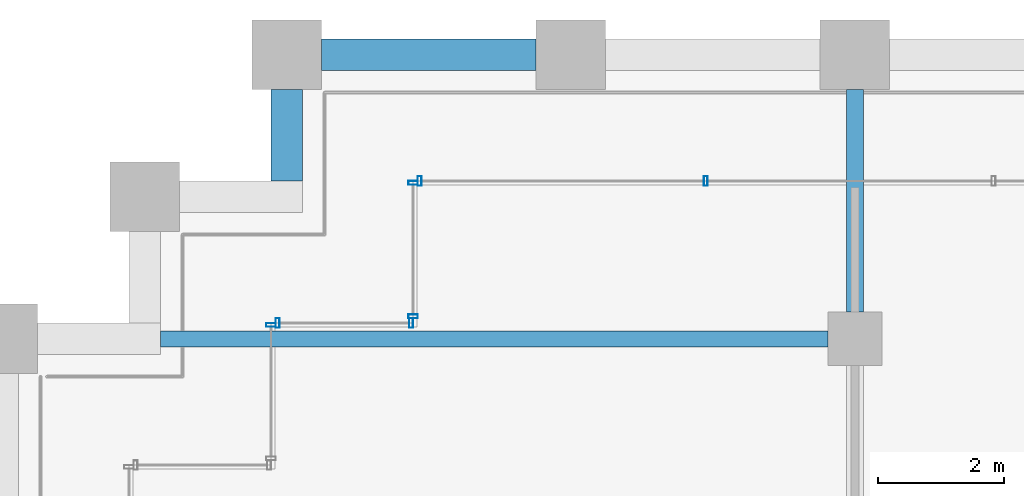
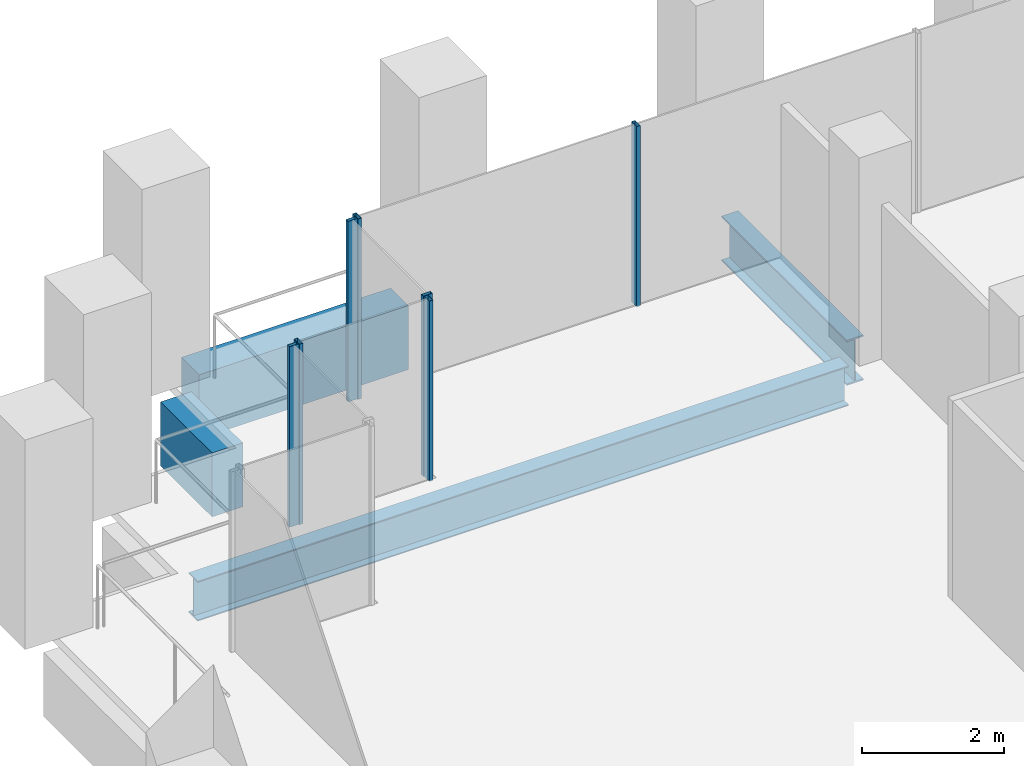
# One storey, part 26 of 54: 7 members, 4 beams, 4 elements without a shape of their own.
"""IFC4 building model written with IfcOpenShell, lengths in metres."""

from ifc_helpers import new_model, si_unit, direction, frame, origin, origin_2d, place, context, subcontext, project, spatial, rectangle, hollow_rectangle, i_section, extrude, material, material_profile, profile_set, type_object, element, aggregate, save


model = new_model("IFC4")

# Units and contexts
model_context = context("Model", 3, precision=1e-05, world=origin(), true_north=direction((0.0, 1.0)))
body_context = subcontext(model_context, "Body", "Model", "MODEL_VIEW")
ifc_project = project(units=[si_unit("LENGTHUNIT", "METRE"), si_unit("AREAUNIT", "SQUARE_METRE"), si_unit("VOLUMEUNIT", "CUBIC_METRE"), si_unit("PLANEANGLEUNIT", "RADIAN"), si_unit("MASSUNIT", "GRAM", prefix="KILO")], contexts=[model_context])

# Site, building, storey
site_placement = place(None, origin())
site = spatial("IfcSite", under=ifc_project, at=site_placement, CompositionType="ELEMENT")
building_placement = place(site_placement, origin())
building = spatial("IfcBuilding", under=site, at=building_placement, Name="Altepetl Exchange Towers", CompositionType="ELEMENT")
storey_placement = place(building_placement, frame((0.0, 0.0, 61.800048828125)))
storey = spatial("IfcBuildingStorey", under=building, at=storey_placement, Name="L14", CompositionType="ELEMENT", Elevation=61.800048828125)

# Beams
ifc_material_1 = material(Name="Steel S355", Category="steel")
ifc_material_profile_1 = material_profile(ifc_material_1, i_section(OverallWidth=0.25390625, OverallDepth=0.68408203125, WebThickness=0.012451171875, FlangeThickness=0.018798828125, at=origin_2d()), Name="W27X94")
ifc_profile_set_1 = profile_set([ifc_material_profile_1], Name="Steel S355")
beam_type_1 = type_object("IfcBeamType", Name="Floor beam W27X94", PredefinedType="BEAM", material=ifc_profile_set_1)
beam_1_placement = place(storey_placement, frame((29.5, 67.5, -0.491943359375), z_axis=(1.0, 0.0, 0.0), x_axis=(0.0, 1.0, 0.0)))
element("IfcBeam", 1, at=beam_1_placement, inside=storey, type_object=beam_type_1, Name="bm:A:L14:023", PredefinedType="BEAM", context=body_context, shape_type="SweptSolid", body=[
    extrude(i_section(OverallWidth=0.25390625, OverallDepth=0.68408203125, WebThickness=0.012451171875, FlangeThickness=0.018798828125, at=origin_2d()), origin(), (0.0, 0.0, 1.0), 10.574951171875),
])
ifc_material_profile_2 = material_profile(ifc_material_1, i_section(OverallWidth=0.26806640625, OverallDepth=0.77392578125, WebThickness=0.015380859375, FlangeThickness=0.025390625, at=origin_2d()), Name="W30X132")
ifc_profile_set_2 = profile_set([ifc_material_profile_2], Name="Steel S355")
beam_type_2 = type_object("IfcBeamType", Name="Girder W30X132", PredefinedType="BEAM", material=ifc_profile_set_2)
beam_2_placement = place(storey_placement, frame((40.5, 71.449951171875, -0.537109375), z_axis=(0.0, -1.0, 0.0), x_axis=(1.0, 0.0, 0.0)))
element("IfcBeam", 2, at=beam_2_placement, inside=storey, type_object=beam_type_2, Name="gd:A:L14:003", PredefinedType="BEAM", context=body_context, shape_type="SweptSolid", body=[
    extrude(i_section(OverallWidth=0.26806640625, OverallDepth=0.77392578125, WebThickness=0.015380859375, FlangeThickness=0.025390625, at=origin_2d()), origin(), (0.0, 0.0, 1.0), 3.52490234375),
])

# Curtain wall, members
ifc_material_2 = material(Name="Aluminium 6063-T6 glazing", Category="aluminium")
curtain_wall_type = type_object("IfcCurtainWallType", Name="Loggia glazing system", PredefinedType="NOTDEFINED", material=ifc_material_2)
curtain_wall_1_placement = place(storey_placement, origin())
curtain_wall_1 = element("IfcCurtainWall", 3, at=curtain_wall_1_placement, inside=storey, type_object=curtain_wall_type, Name="CW1 run", PredefinedType="NOTDEFINED")
ifc_material_3 = material(Name="Aluminium 6063-T6", Category="aluminium")
ifc_material_profile_3 = material_profile(ifc_material_3, hollow_rectangle(XDim=0.06005859375, YDim=0.14990234375, WallThickness=0.0029296875, at=origin_2d()), Name="Mullion 60x150 aluminium")
ifc_profile_set_3 = profile_set([ifc_material_profile_3], Name="Aluminium 6063-T6")
member_type = type_object("IfcMemberType", Name="Mullion 60x150 aluminium", PredefinedType="MULLION", material=ifc_profile_set_3)
member_1_placement = place(storey_placement, frame((38.1357421875, 70.0, 0.0), z_axis=(0.0, 0.0, 1.0), x_axis=(-1.0, 0.0, 0.0)))
member_1 = element("IfcMember", 4, at=member_1_placement, type_object=member_type, Name="MU1 mullion", PredefinedType="MULLION", context=body_context, shape_type="SweptSolid", body=[
    extrude(hollow_rectangle(XDim=0.06005859375, YDim=0.14990234375, WallThickness=0.0029296875, at=origin_2d()), origin(), (0.0, 0.0, 1.0), 3.099853515625),
])
member_2_placement = place(storey_placement, frame((33.60498046875, 70.0, 0.0), z_axis=(0.0, 0.0, 1.0), x_axis=(-1.0, 0.0, 0.0)))
member_2 = element("IfcMember", 5, at=member_2_placement, type_object=member_type, Name="MU1 mullion", PredefinedType="MULLION", context=body_context, shape_type="SweptSolid", body=[
    extrude(hollow_rectangle(XDim=0.06005859375, YDim=0.14990234375, WallThickness=0.0029296875, at=origin_2d()), origin(), (0.0, 0.0, 1.0), 3.099853515625),
])
aggregate(curtain_wall_1, [member_1, member_2])

curtain_wall_2_placement = place(storey_placement, origin())
curtain_wall_2 = element("IfcCurtainWall", 6, at=curtain_wall_2_placement, inside=storey, type_object=curtain_wall_type, Name="CW1 run", PredefinedType="NOTDEFINED")
member_3_placement = place(storey_placement, frame((33.5, 69.969970703125, 0.0), z_axis=(0.0, 0.0, 1.0), x_axis=(0.0, -1.0, 0.0)))
member_3 = element("IfcMember", 7, at=member_3_placement, type_object=member_type, Name="MU1 mullion", PredefinedType="MULLION", context=body_context, shape_type="SweptSolid", body=[
    extrude(hollow_rectangle(XDim=0.06005859375, YDim=0.14990234375, WallThickness=0.0029296875, at=origin_2d()), origin(), (0.0, 0.0, 1.0), 3.099853515625),
])
member_4_placement = place(storey_placement, frame((33.5, 67.85498046875, 0.0), z_axis=(0.0, 0.0, 1.0), x_axis=(0.0, -1.0, 0.0)))
member_4 = element("IfcMember", 8, at=member_4_placement, type_object=member_type, Name="MU1 mullion", PredefinedType="MULLION", context=body_context, shape_type="SweptSolid", body=[
    extrude(hollow_rectangle(XDim=0.06005859375, YDim=0.14990234375, WallThickness=0.0029296875, at=origin_2d()), origin(), (0.0, 0.0, 1.0), 3.099853515625),
])
aggregate(curtain_wall_2, [member_3, member_4])

curtain_wall_3_placement = place(storey_placement, origin())
curtain_wall_3 = element("IfcCurtainWall", 9, at=curtain_wall_3_placement, inside=storey, type_object=curtain_wall_type, Name="CW1 run", PredefinedType="NOTDEFINED")
member_5_placement = place(storey_placement, frame((33.469970703125, 67.75, 0.0), z_axis=(0.0, 0.0, 1.0), x_axis=(-1.0, 0.0, 0.0)))
member_5 = element("IfcMember", 10, at=member_5_placement, type_object=member_type, Name="MU1 mullion", PredefinedType="MULLION", context=body_context, shape_type="SweptSolid", body=[
    extrude(hollow_rectangle(XDim=0.06005859375, YDim=0.14990234375, WallThickness=0.0029296875, at=origin_2d()), origin(), (0.0, 0.0, 1.0), 3.099853515625),
])
member_6_placement = place(storey_placement, frame((31.35498046875, 67.75, 0.0), z_axis=(0.0, 0.0, 1.0), x_axis=(-1.0, 0.0, 0.0)))
member_6 = element("IfcMember", 11, at=member_6_placement, type_object=member_type, Name="MU1 mullion", PredefinedType="MULLION", context=body_context, shape_type="SweptSolid", body=[
    extrude(hollow_rectangle(XDim=0.06005859375, YDim=0.14990234375, WallThickness=0.0029296875, at=origin_2d()), origin(), (0.0, 0.0, 1.0), 3.099853515625),
])
aggregate(curtain_wall_3, [member_5, member_6])

# Curtain wall, member
curtain_wall_4_placement = place(storey_placement, origin())
curtain_wall_4 = element("IfcCurtainWall", 12, at=curtain_wall_4_placement, inside=storey, type_object=curtain_wall_type, Name="CW1 run", PredefinedType="NOTDEFINED")
member_7_placement = place(storey_placement, frame((31.25, 67.719970703125, 0.0), z_axis=(0.0, 0.0, 1.0), x_axis=(0.0, -1.0, 0.0)))
member_7 = element("IfcMember", 13, at=member_7_placement, type_object=member_type, Name="MU1 mullion", PredefinedType="MULLION", context=body_context, shape_type="SweptSolid", body=[
    extrude(hollow_rectangle(XDim=0.06005859375, YDim=0.14990234375, WallThickness=0.0029296875, at=origin_2d()), origin(), (0.0, 0.0, 1.0), 3.099853515625),
])
aggregate(curtain_wall_4, [member_7])

# Beams
ifc_material_4 = material(Name="Concrete C50/60 precast with tezontle facing", Category="concrete")
ifc_material_profile_4 = material_profile(ifc_material_4, rectangle(XDim=0.5, YDim=1.10009765625, at=origin_2d()), Name="500 x 1100")
ifc_profile_set_4 = profile_set([ifc_material_profile_4], Name="Concrete C50/60 precast with tezontle facing")
beam_type_3 = type_object("IfcBeamType", Name="Spandrel beam 500x1100 tezontle", PredefinedType="SPANDREL", material=ifc_profile_set_4)
beam_3_placement = place(storey_placement, frame((35.449951171875, 72.0, -0.699951171875), z_axis=(-1.0, 0.0, 0.0), x_axis=(0.0, -1.0, 0.0)))
element("IfcBeam", 14, at=beam_3_placement, inside=storey, type_object=beam_type_3, Name="sp:A:L14:031", PredefinedType="SPANDREL", context=body_context, shape_type="SweptSolid", body=[
    extrude(rectangle(XDim=0.5, YDim=1.10009765625, at=origin_2d()), origin(), (0.0, 0.0, 1.0), 3.39990234375),
])
beam_4_placement = place(storey_placement, frame((31.5, 71.449951171875, -0.699951171875), z_axis=(0.0, -1.0, 0.0), x_axis=(1.0, 0.0, 0.0)))
element("IfcBeam", 15, at=beam_4_placement, inside=storey, type_object=beam_type_3, Name="sp:A:L14:032", PredefinedType="SPANDREL", context=body_context, shape_type="SweptSolid", body=[
    extrude(rectangle(XDim=0.5, YDim=1.10009765625, at=origin_2d()), origin(), (0.0, 0.0, 1.0), 1.449951171875),
])

save(model, "model.ifc")
